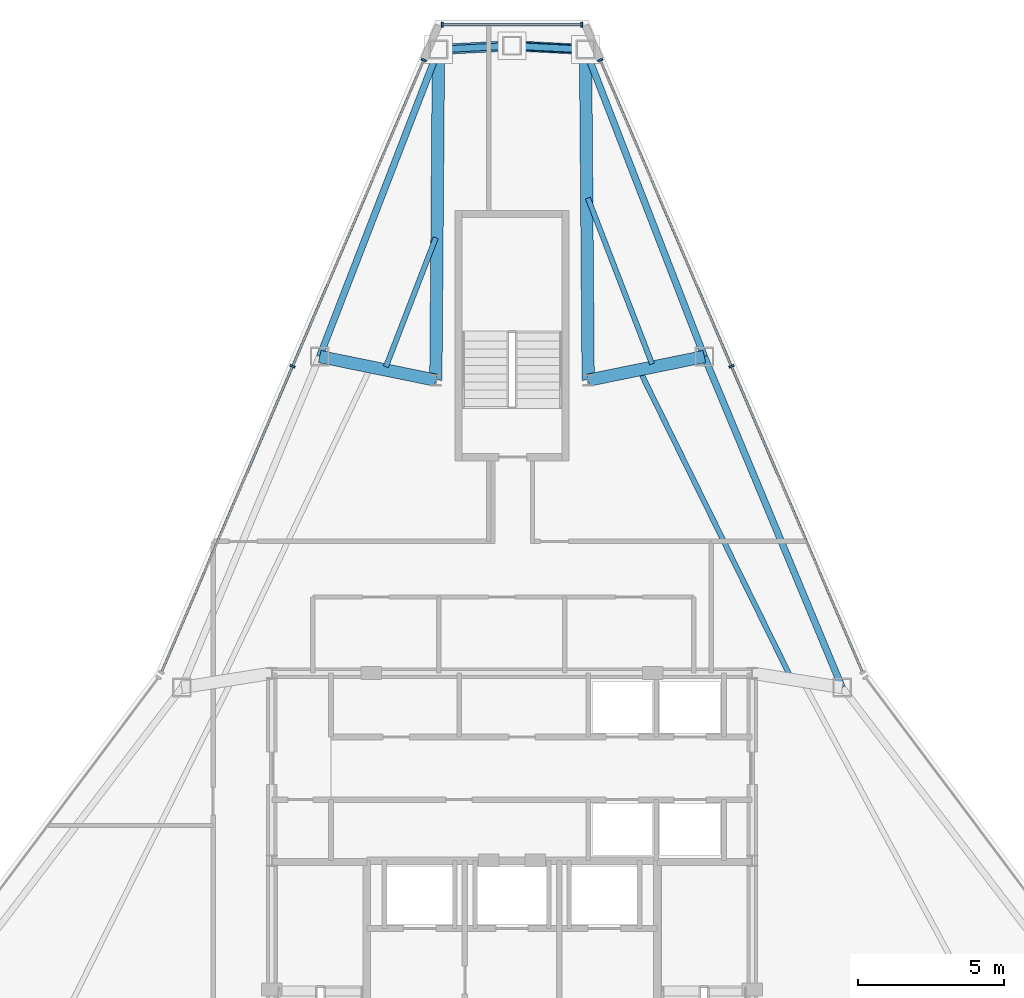
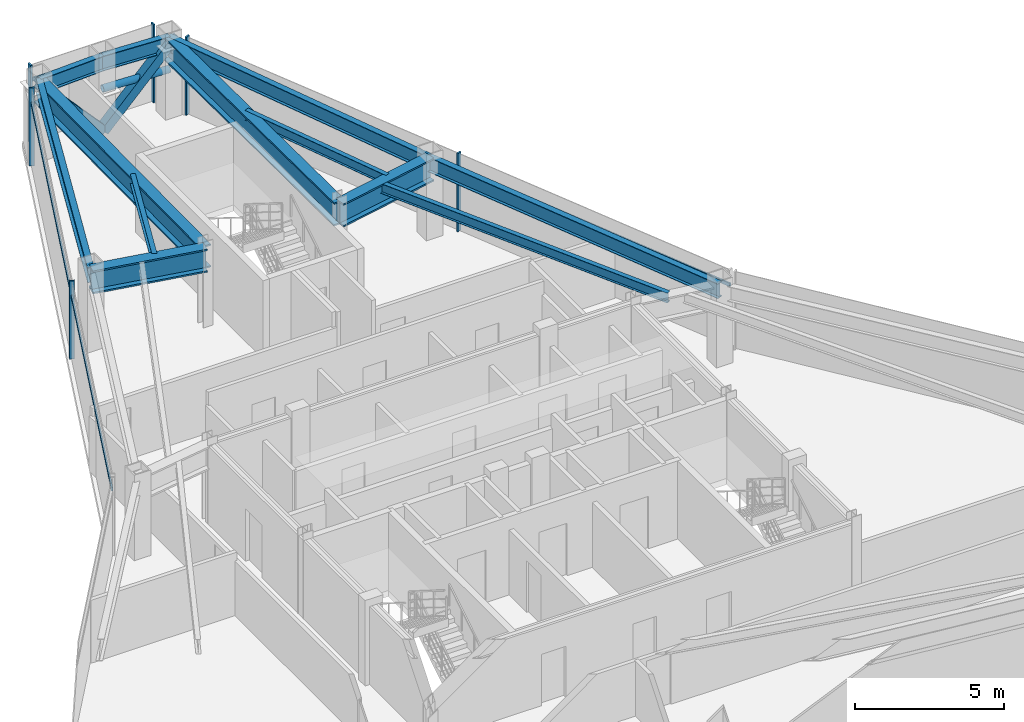
# One storey, part 7 of 12: 12 beams, 12 members, 3 elements without a shape of their own.
"""IFC4 building model written with IfcOpenShell, lengths in metres."""

from ifc_helpers import new_model, si_unit, direction, frame, origin, origin_2d, place, context, subcontext, project, spatial, rectangle, hollow_rectangle, hollow_circle, i_section, extrude, source, transform, mapped, material, layer, layer_set, material_profile, profile_set, type_object, type_shapes, element, aggregate, save


model = new_model("IFC4")

# Units and contexts
model_context = context("Model", 3, precision=1e-05, world=origin(), true_north=direction((0.0, 1.0)))
body_context = subcontext(model_context, "Body", "Model", "MODEL_VIEW")
ifc_project = project(units=[si_unit("LENGTHUNIT", "METRE"), si_unit("AREAUNIT", "SQUARE_METRE"), si_unit("VOLUMEUNIT", "CUBIC_METRE"), si_unit("PLANEANGLEUNIT", "RADIAN"), si_unit("MASSUNIT", "GRAM", prefix="KILO")], contexts=[model_context])

# Site, building, storey
site_placement = place(None, origin())
site = spatial("IfcSite", under=ifc_project, at=site_placement, CompositionType="ELEMENT")
building_placement = place(site_placement, origin())
building = spatial("IfcBuilding", under=site, at=building_placement, Name="Varakhsha Concourse Tower", CompositionType="ELEMENT")
storey_placement = place(building_placement, frame((0.0, 0.0, 286.5)))
storey = spatial("IfcBuildingStorey", under=building, at=storey_placement, Name="L81", CompositionType="ELEMENT", Elevation=286.5)

# Beams
ifc_material_1 = material(Name="Structural Steel ASTM A992 Grade 50", Category="steel")
ifc_material_profile_1 = material_profile(ifc_material_1, i_section(OverallWidth=0.177978515625, OverallDepth=0.406982421875, WebThickness=0.008056640625, FlangeThickness=0.012939453125, at=origin_2d()), Name="W16X40")
ifc_profile_set_1 = profile_set([ifc_material_profile_1], Name="Structural Steel ASTM A992 Grade 50")
beam_type_1 = type_object("IfcBeamType", Name="BM-JST-W16X40", PredefinedType="JOIST", material=ifc_profile_set_1)
beam_1_placement = place(storey_placement, frame((37.399658203125, 46.064453125, 2.99658203125), z_axis=(-0.360799831455, -0.932643276726, 0.0), x_axis=(0.932643276726, -0.360799831455, 0.0)))
element("IfcBeam", 1, at=beam_1_placement, inside=storey, type_object=beam_type_1, Name="BM-TJST-L81-03", PredefinedType="JOIST", context=body_context, shape_type="SweptSolid", body=[
    extrude(i_section(OverallWidth=0.177978515625, OverallDepth=0.406982421875, WebThickness=0.008056640625, FlangeThickness=0.012939453125, at=origin_2d()), origin(), (0.0, 0.0, 1.0), 4.724365234375),
])
beam_2_placement = place(storey_placement, frame((49.502685546875, 31.08203125, 2.99658203125), z_axis=(-0.441801136736, 0.897113011598, 0.0), x_axis=(-0.897113011598, -0.441801136736, 0.0)))
element("IfcBeam", 2, at=beam_2_placement, inside=storey, type_object=beam_type_1, Name="BM-TJST-L81-17", PredefinedType="JOIST", context=body_context, shape_type="SweptSolid", body=[
    extrude(i_section(OverallWidth=0.177978515625, OverallDepth=0.406982421875, WebThickness=0.008056640625, FlangeThickness=0.012939453125, at=origin_2d()), origin(), (0.0, 0.0, 1.0), 11.56494140625),
])
beam_3_placement = place(storey_placement, frame((44.78076171875, 41.75537109375, 2.99658203125), z_axis=(-0.360810259172, 0.932639242621, 0.0), x_axis=(-0.932639242621, -0.360810259172, 0.0)))
element("IfcBeam", 3, at=beam_3_placement, inside=storey, type_object=beam_type_1, Name="BM-TJST-L81-18", PredefinedType="JOIST", context=body_context, shape_type="SweptSolid", body=[
    extrude(i_section(OverallWidth=0.177978515625, OverallDepth=0.406982421875, WebThickness=0.008056640625, FlangeThickness=0.012939453125, at=origin_2d()), origin(), (0.0, 0.0, 1.0), 6.072998046875),
])
ifc_material_profile_2 = material_profile(ifc_material_1, i_section(OverallWidth=0.423095703125, OverallDepth=0.947998046875, WebThickness=0.0380859375, FlangeThickness=0.06396484375, at=origin_2d()), Name="W36X302")
ifc_profile_set_2 = profile_set([ifc_material_profile_2], Name="Structural Steel ASTM A992 Grade 50")
beam_type_2 = type_object("IfcBeamType", Name="BM-OUTR-W36X302", PredefinedType="USERDEFINED", material=ifc_profile_set_2)
for number, where, z_axis, x_axis, name in (
    (4, (42.60009765625, 41.199951171875, 2.72607421875), (-0.00793677287, 0.999968503322, 0.0), (-0.999968503322, -0.00793677287, 0.0), "L81 Radial Floor Girder 01"),
    (5, (37.39990234375, 41.199951171875, 2.72607421875), (0.00793677287, 0.999968503322, 0.0), (-0.999968503322, 0.00793677287, 0.0), "L81 Radial Floor Girder 03"),
):
    element("IfcBeam", number, at=place(storey_placement, frame(where, z_axis=z_axis, x_axis=x_axis)), inside=storey, type_object=beam_type_2, Name=name, ObjectType="GIRDER", PredefinedType="USERDEFINED", context=body_context, shape_type="SweptSolid", body=[
        extrude(i_section(OverallWidth=0.423095703125, OverallDepth=0.947998046875, WebThickness=0.0380859375, FlangeThickness=0.06396484375, at=origin_2d()), origin(), (0.0, 0.0, 1.0), 11.2890625),
    ])
for number, where, z_axis, x_axis, name in (
    (6, (37.39990234375, 41.199951171875, 2.72607421875), (-0.979831068851, 0.199827616997, 0.0), (-0.199827616997, -0.979831068851, 0.0), "L81 Radial Floor Girder 04"),
    (7, (42.60009765625, 41.199951171875, 2.72607421875), (0.979831068851, 0.199827616997, 0.0), (-0.199827616997, 0.979831068851, 0.0), "L81 Radial Floor Girder 18"),
):
    element("IfcBeam", number, at=place(storey_placement, frame(where, z_axis=z_axis, x_axis=x_axis)), inside=storey, type_object=beam_type_2, Name=name, ObjectType="GIRDER", PredefinedType="USERDEFINED", context=body_context, shape_type="SweptSolid", body=[
        extrude(i_section(OverallWidth=0.423095703125, OverallDepth=0.947998046875, WebThickness=0.0380859375, FlangeThickness=0.06396484375, at=origin_2d()), origin(), (0.0, 0.0, 1.0), 4.04638671875),
    ])
ifc_material_profile_3 = material_profile(ifc_material_1, i_section(OverallWidth=0.22900390625, OverallDepth=0.612060546875, WebThickness=0.011962890625, FlangeThickness=0.02001953125, at=origin_2d()), Name="W24X84")
ifc_profile_set_3 = profile_set([ifc_material_profile_3], Name="Structural Steel ASTM A992 Grade 50")
beam_type_3 = type_object("IfcBeamType", Name="BM-SPAN-W24X84", PredefinedType="SPANDREL", material=ifc_profile_set_3)
for number, where, z_axis, x_axis, name in (
    (8, (42.510498046875, 52.48876953125, 2.89404296875), (-0.998704169761, 0.050891858889, 0.0), (-0.050891858889, -0.998704169761, 0.0), "BM-SPAN-L81-01"),
    (9, (40.0, 52.61669921875, 2.89404296875), (-0.998704169761, -0.050891858889, 0.0), (0.050891858889, -0.998704169761, 0.0), "BM-SPAN-L81-02"),
):
    element("IfcBeam", number, at=place(storey_placement, frame(where, z_axis=z_axis, x_axis=x_axis)), inside=storey, type_object=beam_type_3, Name=name, PredefinedType="SPANDREL", context=body_context, shape_type="SweptSolid", body=[
        extrude(i_section(OverallWidth=0.22900390625, OverallDepth=0.612060546875, WebThickness=0.011962890625, FlangeThickness=0.02001953125, at=origin_2d()), origin(), (0.0, 0.0, 1.0), 2.513671875),
    ])
beam_4_placement = place(storey_placement, frame((37.489501953125, 52.48876953125, 2.89404296875), z_axis=(-0.360806974722, -0.93264051327, 0.0), x_axis=(0.93264051327, -0.360806974722, 0.0)))
element("IfcBeam", 10, at=beam_4_placement, inside=storey, type_object=beam_type_3, Name="BM-SPAN-L81-03", PredefinedType="SPANDREL", context=body_context, shape_type="SweptSolid", body=[
    extrude(i_section(OverallWidth=0.22900390625, OverallDepth=0.612060546875, WebThickness=0.011962890625, FlangeThickness=0.02001953125, at=origin_2d()), origin(), (0.0, 0.0, 1.0), 11.237060546875),
])
beam_5_placement = place(storey_placement, frame((51.271240234375, 30.70751953125, 2.89404296875), z_axis=(-0.38444403214, 0.923148301278, 0.0), x_axis=(-0.923148301278, -0.38444403214, 0.0)))
element("IfcBeam", 11, at=beam_5_placement, inside=storey, type_object=beam_type_3, Name="BM-SPAN-L81-17", PredefinedType="SPANDREL", context=body_context, shape_type="SweptSolid", body=[
    extrude(i_section(OverallWidth=0.22900390625, OverallDepth=0.612060546875, WebThickness=0.011962890625, FlangeThickness=0.02001953125, at=origin_2d()), origin(), (0.0, 0.0, 1.0), 12.241943359375),
])
beam_6_placement = place(storey_placement, frame((46.56494140625, 42.008544921875, 2.89404296875), z_axis=(-0.360806974722, 0.93264051327, 0.0), x_axis=(-0.93264051327, -0.360806974722, 0.0)))
element("IfcBeam", 12, at=beam_6_placement, inside=storey, type_object=beam_type_3, Name="BM-SPAN-L81-18", PredefinedType="SPANDREL", context=body_context, shape_type="SweptSolid", body=[
    extrude(i_section(OverallWidth=0.22900390625, OverallDepth=0.612060546875, WebThickness=0.011962890625, FlangeThickness=0.02001953125, at=origin_2d()), origin(), (0.0, 0.0, 1.0), 11.237060546875),
])

# Members
ifc_material_2 = material(Name="Structural Steel ASTM A500 Grade C", Category="steel")
ifc_material_profile_4 = material_profile(ifc_material_2, hollow_rectangle(XDim=0.35009765625, YDim=0.35009765625, WallThickness=0.01611328125, at=origin_2d()), Name="HSS 350x350x16")
ifc_profile_set_4 = profile_set([ifc_material_profile_4], Name="Structural Steel ASTM A500 Grade C")
member_type_1 = type_object("IfcMemberType", Name="MB-TUBE-HSS350", PredefinedType="BRACE", material=ifc_profile_set_4)
shared_shape_1 = source(origin(), body_context, "Body", "SweptSolid", [
    extrude(hollow_rectangle(XDim=0.35009765625, YDim=0.35009765625, WallThickness=0.01611328125, at=origin_2d()), origin(), (0.0, 0.0, 1.0), 3.747802734375),
])
type_shapes(member_type_1, [shared_shape_1])
for number, where, z_axis, x_axis, name in (
    (13, (40.0, 52.61669921875, 0.1201171875), (0.669855144808, -0.034134405901, 0.74170676639), (0.050891858889, 0.998704169761, 0.0), "L81 Wind-Corner Tube Brace B01"),
    (14, (40.0, 52.61669921875, 0.1201171875), (-0.669855144808, -0.034134405901, 0.74170676639), (0.050891858889, -0.998704169761, 0.0), "L81 Wind-Corner Tube Brace B02"),
):
    element("IfcMember", number, at=place(storey_placement, frame(where, z_axis=z_axis, x_axis=x_axis)), inside=storey, type_object=member_type_1, Name=name, PredefinedType="BRACE", context=body_context, shape_type="MappedRepresentation", body=[
        mapped(shared_shape_1, transform((0.0, 0.0, 0.0), scale=1.0)),
    ])
ifc_material_profile_5 = material_profile(ifc_material_2, hollow_circle(Radius=0.136474609375, WallThickness=0.011962890625, at=origin_2d()), Name="CHS 273x12")
ifc_profile_set_5 = profile_set([ifc_material_profile_5], Name="Structural Steel ASTM A500 Grade C")
member_type_2 = type_object("IfcMemberType", Name="MB-WIND-CHS273", PredefinedType="COLLAR", material=ifc_profile_set_5)
shared_shape_2 = source(origin(), body_context, "Body", "SweptSolid", [
    extrude(hollow_circle(Radius=0.136474609375, WallThickness=0.011962890625, at=origin_2d()), origin(), (0.0, 0.0, 1.0), 2.513671875),
])
type_shapes(member_type_2, [shared_shape_2])
member_1_placement = place(storey_placement, frame((42.510498046875, 52.48876953125, 1.800048828125), z_axis=(-0.998704169761, 0.050891858889, 0.0), x_axis=(-0.050891858889, -0.998704169761, 0.0)))
element("IfcMember", 15, at=member_1_placement, inside=storey, type_object=member_type_2, Name="L81 Wind-Corner Collar Tie 1", PredefinedType="COLLAR", context=body_context, shape_type="MappedRepresentation", body=[
    mapped(shared_shape_2, transform((0.0, 0.0, 0.0), scale=1.0)),
])

# Curtain wall, members
ifc_material_3 = material(Name="Anodised Bronze Architectural Aluminium AA 6063-T6", Category="aluminium")
ifc_layer = layer(ifc_material_3, 0.199951171875, Name="CW-SYS-05")
ifc_layer_set = layer_set([ifc_layer], Name="Anodised Bronze Architectural Aluminium AA 6063-T6")
curtain_wall_type = type_object("IfcCurtainWallType", Name="CW-SYS-05", PredefinedType="NOTDEFINED", material=ifc_layer_set)
curtain_wall_1_placement = place(storey_placement, origin())
curtain_wall_1 = element("IfcCurtainWall", 16, at=curtain_wall_1_placement, inside=storey, type_object=curtain_wall_type, Name="L81 Chamfer Curtain Wall F1", PredefinedType="NOTDEFINED")
ifc_material_profile_6 = material_profile(ifc_material_3, rectangle(XDim=0.06494140625, YDim=0.179931640625, at=origin_2d()), Name="CWM-180X65")
ifc_profile_set_6 = profile_set([ifc_material_profile_6], Name="Anodised Bronze Architectural Aluminium AA 6063-T6")
member_type_3 = type_object("IfcMemberType", Name="CWM-180X65", PredefinedType="MULLION", material=ifc_profile_set_6)
shared_shape_3 = source(origin(), body_context, "Body", "SweptSolid", [
    extrude(rectangle(XDim=0.06494140625, YDim=0.179931640625, at=origin_2d()), origin(), (0.0, 0.0, 1.0), 3.199951171875),
])
type_shapes(member_type_3, [shared_shape_3])
member_2_placement = place(storey_placement, frame((37.6201171875, 53.336669921875, 0.0), z_axis=(0.0, 0.0, 1.0), x_axis=(1.0, 0.0, 0.0)))
member_2 = element("IfcMember", 17, at=member_2_placement, type_object=member_type_3, Name="CW-L81-F1 Mullion 00", PredefinedType="MULLION", context=body_context, shape_type="MappedRepresentation", body=[
    mapped(shared_shape_3, transform((0.0, 0.0, 0.0), scale=1.0)),
])
member_3_placement = place(storey_placement, frame((42.3798828125, 53.336669921875, 0.0), z_axis=(0.0, 0.0, 1.0), x_axis=(1.0, 0.0, 0.0)))
member_3 = element("IfcMember", 18, at=member_3_placement, type_object=member_type_3, Name="CW-L81-F1 Mullion 01", PredefinedType="MULLION", context=body_context, shape_type="MappedRepresentation", body=[
    mapped(shared_shape_3, transform((0.0, 0.0, 0.0), scale=1.0)),
])

curtain_wall_2_placement = place(storey_placement, origin())
curtain_wall_2 = element("IfcCurtainWall", 19, at=curtain_wall_2_placement, inside=storey, type_object=curtain_wall_type, Name="L81 Crystal Curtain Wall F2", PredefinedType="NOTDEFINED")
member_4_placement = place(storey_placement, frame((32.509521484375, 41.67626953125, 0.0), z_axis=(0.0, 0.0, 1.0), x_axis=(0.393839238731, 0.919179337255, 0.0)))
member_4 = element("IfcMember", 20, at=member_4_placement, type_object=member_type_3, Name="CW-L81-F2 Mullion 01", PredefinedType="MULLION", context=body_context, shape_type="MappedRepresentation", body=[
    mapped(shared_shape_3, transform((0.0, 0.0, 0.0), scale=1.0)),
])
member_5_placement = place(storey_placement, frame((36.98779296875, 52.12841796875, 0.0), z_axis=(0.0, 0.0, 1.0), x_axis=(0.393839238731, 0.919179337255, 0.0)))
member_5 = element("IfcMember", 21, at=member_5_placement, type_object=member_type_3, Name="CW-L81-F2 Mullion 02", PredefinedType="MULLION", context=body_context, shape_type="MappedRepresentation", body=[
    mapped(shared_shape_3, transform((0.0, 0.0, 0.0), scale=1.0)),
])

curtain_wall_3_placement = place(storey_placement, origin())
curtain_wall_3 = element("IfcCurtainWall", 22, at=curtain_wall_3_placement, inside=storey, type_object=curtain_wall_type, Name="L81 Crystal Curtain Wall F9", PredefinedType="NOTDEFINED")
member_6_placement = place(storey_placement, frame((43.01220703125, 52.12841796875, 0.0), z_axis=(0.0, 0.0, 1.0), x_axis=(0.393839238731, -0.919179337255, 0.0)))
member_6 = element("IfcMember", 23, at=member_6_placement, type_object=member_type_3, Name="CW-L81-F9 Mullion 00", PredefinedType="MULLION", context=body_context, shape_type="MappedRepresentation", body=[
    mapped(shared_shape_3, transform((0.0, 0.0, 0.0), scale=1.0)),
])
member_7_placement = place(storey_placement, frame((47.49072265625, 41.67626953125, 0.0), z_axis=(0.0, 0.0, 1.0), x_axis=(0.393839238731, -0.919179337255, 0.0)))
member_7 = element("IfcMember", 24, at=member_7_placement, type_object=member_type_3, Name="CW-L81-F9 Mullion 01", PredefinedType="MULLION", context=body_context, shape_type="MappedRepresentation", body=[
    mapped(shared_shape_3, transform((0.0, 0.0, 0.0), scale=1.0)),
])

# Member
ifc_material_profile_7 = material_profile(ifc_material_3, rectangle(XDim=0.06005859375, YDim=0.139892578125, at=origin_2d()), Name="CWT-140X60")
ifc_profile_set_7 = profile_set([ifc_material_profile_7], Name="Anodised Bronze Architectural Aluminium AA 6063-T6")
member_type_4 = type_object("IfcMemberType", Name="CWT-140X60", PredefinedType="USERDEFINED", material=ifc_profile_set_7)
shared_shape_4 = source(origin(), body_context, "Body", "SweptSolid", [
    extrude(rectangle(XDim=0.06005859375, YDim=0.139892578125, at=origin_2d()), origin(), (0.0, 0.0, 1.0), 4.759765625),
])
member_8_placement = place(storey_placement, frame((37.6201171875, 53.336669921875, 2.550048828125), z_axis=(1.0, 0.0, 0.0), x_axis=(0.0, 1.0, 0.0)))
member_8 = element("IfcMember", 25, at=member_8_placement, type_object=member_type_4, Name="CW-L81-F1 Transom 01", ObjectType="TRANSOM", PredefinedType="USERDEFINED", context=body_context, shape_type="MappedRepresentation", body=[
    mapped(shared_shape_4, transform((0.0, 0.0, 0.0), scale=1.0)),
])

aggregate(curtain_wall_1, [member_2, member_3, member_8])

shared_shape_5 = source(origin(), body_context, "Body", "SweptSolid", [
    extrude(rectangle(XDim=0.06005859375, YDim=0.139892578125, at=origin_2d()), origin(), (0.0, 0.0, 1.0), 22.742431640625),
])
type_shapes(member_type_4, [shared_shape_4, shared_shape_5])
member_9_placement = place(storey_placement, frame((28.031005859375, 31.22412109375, 2.550048828125), z_axis=(0.393837673443, 0.919180007929, 0.0), x_axis=(-0.919180007929, 0.393837673443, 0.0)))
member_9 = element("IfcMember", 26, at=member_9_placement, type_object=member_type_4, Name="CW-L81-F2 Transom 01", ObjectType="TRANSOM", PredefinedType="USERDEFINED", context=body_context, shape_type="MappedRepresentation", body=[
    mapped(shared_shape_5, transform((0.0, 0.0, 0.0), scale=1.0)),
])

aggregate(curtain_wall_2, [member_4, member_5, member_9])

member_10_placement = place(storey_placement, frame((43.01220703125, 52.12841796875, 2.550048828125), z_axis=(0.393837673443, -0.919180007929, 0.0), x_axis=(0.919180007929, 0.393837673443, 0.0)))
member_10 = element("IfcMember", 27, at=member_10_placement, type_object=member_type_4, Name="CW-L81-F9 Transom 01", ObjectType="TRANSOM", PredefinedType="USERDEFINED", context=body_context, shape_type="MappedRepresentation", body=[
    mapped(shared_shape_5, transform((0.0, 0.0, 0.0), scale=1.0)),
])

aggregate(curtain_wall_3, [member_6, member_7, member_10])

save(model, "model.ifc")
